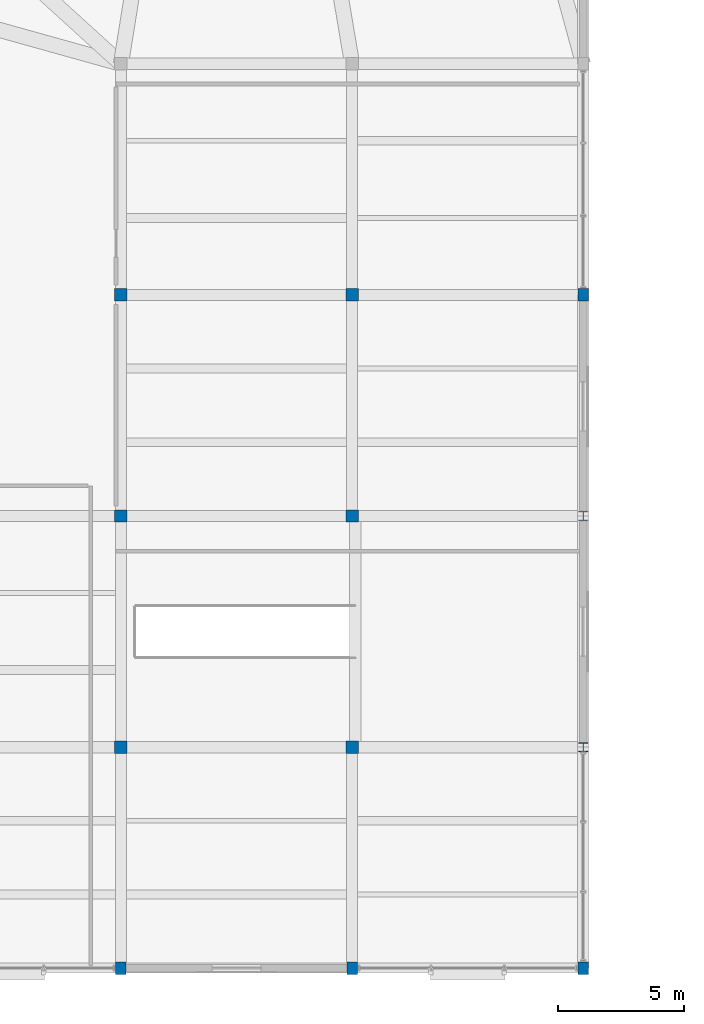
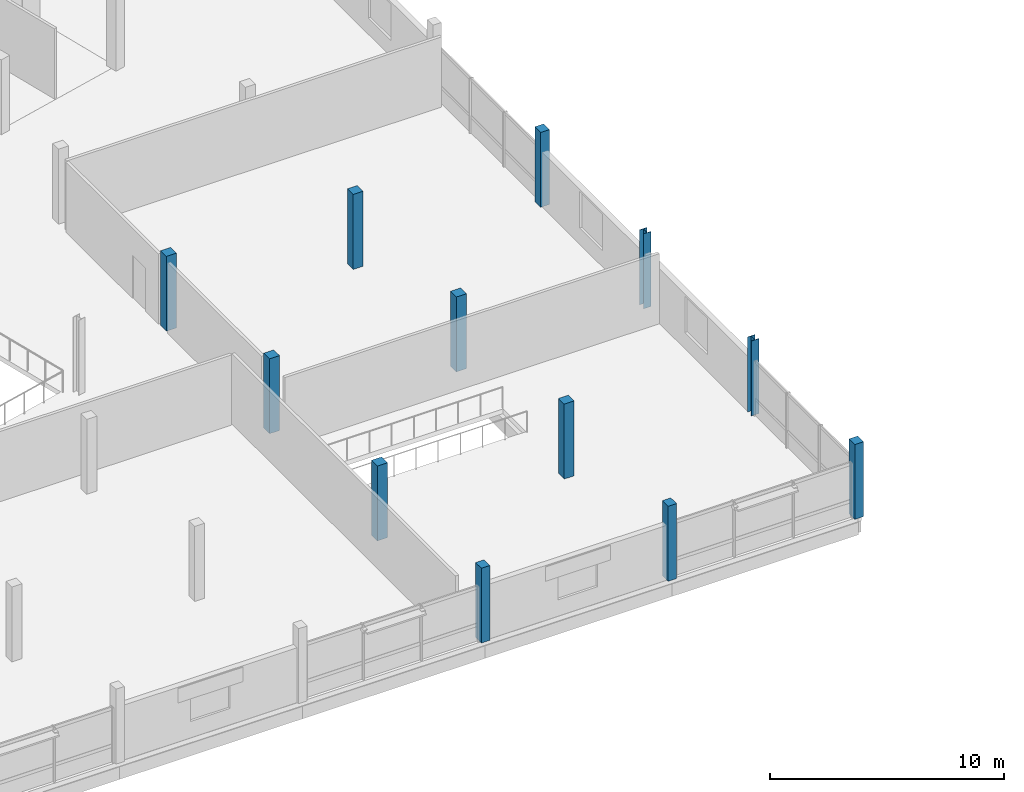
# One storey, part 2 of 62: 12 columns.
"""IFC4 building model written with IfcOpenShell, lengths in metres."""

from ifc_helpers import new_model, si_unit, direction, frame, origin, origin_2d, place, context, subcontext, project, spatial, rectangle, i_section, extrude, material, material_profile, profile_set, type_object, element, save


model = new_model("IFC4")

# Units and contexts
model_context = context("Model", 3, precision=1e-05, world=origin(), true_north=direction((0.0, 1.0)))
body_context = subcontext(model_context, "Body", "Model", "MODEL_VIEW")
ifc_project = project(units=[si_unit("LENGTHUNIT", "METRE"), si_unit("AREAUNIT", "SQUARE_METRE"), si_unit("VOLUMEUNIT", "CUBIC_METRE"), si_unit("PLANEANGLEUNIT", "RADIAN"), si_unit("MASSUNIT", "GRAM", prefix="KILO")], contexts=[model_context])

# Site, building, storey
site_placement = place(None, origin())
site = spatial("IfcSite", under=ifc_project, at=site_placement, CompositionType="ELEMENT")
building_placement = place(site_placement, origin())
building = spatial("IfcBuilding", under=site, at=building_placement, Name="Meriwether Solvik Hall", CompositionType="ELEMENT")
storey_placement = place(building_placement, frame((0.0, 0.0, 14.39990234375)))
storey = spatial("IfcBuildingStorey", under=building, at=storey_placement, Name="L03", CompositionType="ELEMENT", Elevation=14.39990234375)

# Columns
ifc_material_1 = material(Name="Glulam Douglas-Fir L2 GL28c", Category="wood")
ifc_material_profile_1 = material_profile(ifc_material_1, rectangle(XDim=0.419921875, YDim=0.4951171875, at=origin_2d()), Name="GLC-420X495")
ifc_profile_set_1 = profile_set([ifc_material_profile_1], Name="Glulam Douglas-Fir L2 GL28c")
column_type_1 = type_object("IfcColumnType", Name="COL-GL-420X495", PredefinedType="COLUMN", material=ifc_profile_set_1)
for number, where, z_axis, x_axis, name in (
    (1, (95.800048828125, 5.199951171875, 0.0), (0.0, 0.0, 1.0), (1.0, 0.0, 0.0), "Podium Column 11/A (L03)"),
    (2, (105.0, 5.199951171875, 0.0), (0.0, 0.0, 1.0), (1.0, 0.0, 0.0), "Podium Column 12/A (L03)"),
    (3, (114.199951171875, 5.199951171875, 0.0), (0.0, 0.0, 1.0), (1.0, 0.0, 0.0), "Podium Column 13/A (L03)"),
    (4, (114.199951171875, 32.0, 0.0), (0.0, 0.0, 1.0), (1.0, 0.0, 0.0), "Podium Column 13/D (L03)"),
):
    element("IfcColumn", number, at=place(storey_placement, frame(where, z_axis=z_axis, x_axis=x_axis)), inside=storey, type_object=column_type_1, Name=name, PredefinedType="COLUMN", context=body_context, shape_type="SweptSolid", body=[
        extrude(rectangle(XDim=0.419921875, YDim=0.4951171875, at=origin_2d()), origin(), (0.0, 0.0, 1.0), 3.900146484375),
    ])
ifc_material_2 = material(Name="Glulam Douglas-Fir L2 GL28c", Category="wood")
ifc_material_profile_2 = material_profile(ifc_material_2, rectangle(XDim=0.4951171875, YDim=0.4951171875, at=origin_2d()), Name="GLC-495X495")
ifc_profile_set_2 = profile_set([ifc_material_profile_2], Name="Glulam Douglas-Fir L2 GL28c")
column_type_2 = type_object("IfcColumnType", Name="COL-GL-495X495", PredefinedType="COLUMN", material=ifc_profile_set_2)
for number, where, z_axis, x_axis, name in (
    (5, (95.800048828125, 14.0, 0.0), (0.0, 0.0, 1.0), (1.0, 0.0, 0.0), "Podium Column 11/B (L03)"),
    (6, (95.800048828125, 23.199951171875, 0.0), (0.0, 0.0, 1.0), (1.0, 0.0, 0.0), "Podium Column 11/C (L03)"),
    (7, (95.800048828125, 32.0, 0.0), (0.0, 0.0, 1.0), (1.0, 0.0, 0.0), "Podium Column 11/D (L03)"),
    (8, (105.0, 14.0, 0.0), (0.0, 0.0, 1.0), (1.0, 0.0, 0.0), "Podium Column 12/B (L03)"),
    (9, (105.0, 23.199951171875, 0.0), (0.0, 0.0, 1.0), (1.0, 0.0, 0.0), "Podium Column 12/C (L03)"),
    (10, (105.0, 32.0, 0.0), (0.0, 0.0, 1.0), (1.0, 0.0, 0.0), "Podium Column 12/D (L03)"),
):
    element("IfcColumn", number, at=place(storey_placement, frame(where, z_axis=z_axis, x_axis=x_axis)), inside=storey, type_object=column_type_2, Name=name, PredefinedType="COLUMN", context=body_context, shape_type="SweptSolid", body=[
        extrude(rectangle(XDim=0.4951171875, YDim=0.4951171875, at=origin_2d()), origin(), (0.0, 0.0, 1.0), 3.900146484375),
    ])
ifc_material_3 = material(Name="Steel A992 Grade 50", Category="steel")
ifc_material_profile_3 = material_profile(ifc_material_3, i_section(OverallWidth=0.368896484375, OverallDepth=0.35595703125, WebThickness=0.01123046875, FlangeThickness=0.01806640625, at=origin_2d()), Name="W14X90")
ifc_profile_set_3 = profile_set([ifc_material_profile_3], Name="Steel A992 Grade 50")
column_type_3 = type_object("IfcColumnType", Name="COL-STL-W14X90", PredefinedType="COLUMN", material=ifc_profile_set_3)
for number, where, z_axis, x_axis, name in (
    (11, (114.199951171875, 14.0, 0.0), (0.0, 0.0, 1.0), (1.0, 0.0, 0.0), "Podium Column 13/B (L03)"),
    (12, (114.199951171875, 23.199951171875, 0.0), (0.0, 0.0, 1.0), (1.0, 0.0, 0.0), "Podium Column 13/C (L03)"),
):
    element("IfcColumn", number, at=place(storey_placement, frame(where, z_axis=z_axis, x_axis=x_axis)), inside=storey, type_object=column_type_3, Name=name, PredefinedType="COLUMN", context=body_context, shape_type="SweptSolid", body=[
        extrude(i_section(OverallWidth=0.368896484375, OverallDepth=0.35595703125, WebThickness=0.01123046875, FlangeThickness=0.01806640625, at=origin_2d()), origin(), (0.0, 0.0, 1.0), 3.900146484375),
    ])

save(model, "model.ifc")
